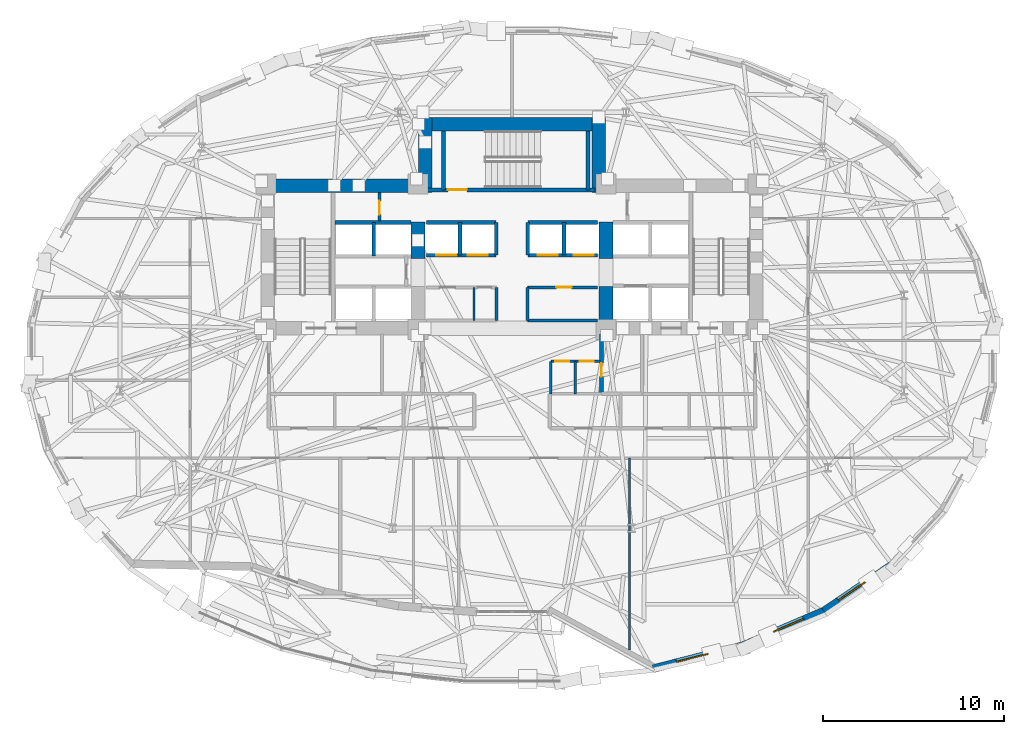
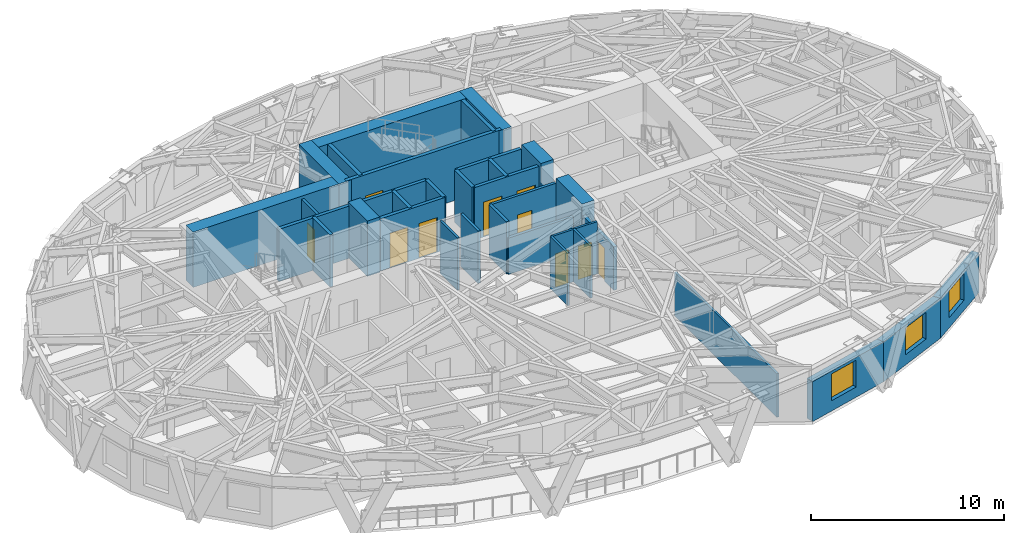
# One storey, part 9 of 15: 34 walls, 10 doors, 3 windows, 13 openings.
"""IFC4 building model written with IfcOpenShell, lengths in metres."""

from ifc_helpers import new_model, si_unit, direction, frame, frame_2d, origin, place, context, subcontext, project, spatial, rectangle, extrude, material, layer, layer_set, type_object, element, fill, save


model = new_model("IFC4")

# Units and contexts
model_context = context("Model", 3, precision=1e-05, world=origin(), true_north=direction((0.0, 1.0)))
body_context = subcontext(model_context, "Body", "Model", "MODEL_VIEW")
ifc_project = project(units=[si_unit("LENGTHUNIT", "METRE"), si_unit("AREAUNIT", "SQUARE_METRE"), si_unit("VOLUMEUNIT", "CUBIC_METRE"), si_unit("PLANEANGLEUNIT", "RADIAN"), si_unit("MASSUNIT", "GRAM", prefix="KILO")], contexts=[model_context])

# Site, building, storey
site_placement = place(None, origin())
site = spatial("IfcSite", under=ifc_project, at=site_placement, CompositionType="ELEMENT")
building_placement = place(site_placement, origin())
building = spatial("IfcBuilding", under=site, at=building_placement, Name="Keldmark Tower", CompositionType="ELEMENT")
storey_placement = place(building_placement, frame((0.0, 0.0, 114.10009765625)))
storey = spatial("IfcBuildingStorey", under=building, at=storey_placement, Name="L30", CompositionType="ELEMENT", Elevation=114.10009765625)

# Wall, openings, doors
ifc_material_1 = material(Name="Acoustic Gypsum Board Interior Partition", Category="gypsum")
ifc_layer_1 = layer(ifc_material_1, 0.1298828125)
ifc_layer_set_1 = layer_set([ifc_layer_1], Name="Acoustic Gypsum Board Interior Partition")
wall_type_1 = type_object("IfcWallType", Name="Interior Partition 130 mm", PredefinedType="PARTITIONING", material=ifc_layer_set_1)
wall_1_placement = place(storey_placement, frame((2.14990234375, -0.35009765625, 0.0), z_axis=(0.0, 0.0, 1.0), x_axis=(1.0, 0.0, 0.0)))
wall_1 = element("IfcWall", 1, at=wall_1_placement, inside=storey, type_object=wall_type_1, Name="L30 Interior Partition 130 mm CSC-E-N", PredefinedType="PARTITIONING", context=body_context, shape_type="SweptSolid", body=[
    extrude(rectangle(XDim=2.72998046875, YDim=0.1298828125, at=frame_2d((1.364990234375, 0.0))), origin(), (0.0, 0.0, 1.0), 3.309814453125),
])
opening_1_placement = place(wall_1_placement, frame((0.25, 0.0, 0.0)))
opening_1 = element("IfcOpeningElement", 2, at=opening_1_placement, cuts=wall_1, Name="Opening D-CL078", PredefinedType="OPENING", context=body_context, shape_type="SweptSolid", body=[
    extrude(rectangle(XDim=0.780029296875, YDim=2.10009765625, at=frame_2d((0.39013671875, 1.050048828125))), frame((0.0, 0.074951171875, 0.0), z_axis=(0.0, -1.0, 0.0), x_axis=(1.0, 0.0, 0.0)), (0.0, 0.0, 1.0), 0.14990234375),
])
opening_2_placement = place(wall_1_placement, frame((1.60009765625, 0.0, 0.0)))
opening_2 = element("IfcOpeningElement", 3, at=opening_2_placement, cuts=wall_1, Name="Opening D-CL078", PredefinedType="OPENING", context=body_context, shape_type="SweptSolid", body=[
    extrude(rectangle(XDim=0.780029296875, YDim=2.10009765625, at=frame_2d((0.39013671875, 1.050048828125))), frame((0.0, 0.074951171875, 0.0), z_axis=(0.0, -1.0, 0.0), x_axis=(1.0, 0.0, 0.0)), (0.0, 0.0, 1.0), 0.14990234375),
])
ifc_material_2 = material(Name="Flush Utility Closet Timber Door", Category="wood")
door_type_1 = type_object("IfcDoorType", Name="Closet Door 780x2100", OperationType="NOTDEFINED", PredefinedType="DOOR", material=ifc_material_2)
door_1_placement = place(opening_1_placement, origin())
door_1 = element("IfcDoor", 4, at=door_1_placement, inside=storey, type_object=door_type_1, Name="L30 Closet Door 780x2100 D-CSCE1-L30", OperationType="SINGLE_SWING_LEFT", OverallHeight=2.10009765625, OverallWidth=0.780029296875, PredefinedType="DOOR", context=body_context, shape_type="SweptSolid", body=[
    extrude(rectangle(XDim=0.780029296875, YDim=2.10009765625, at=frame_2d((0.39013671875, 1.050048828125))), frame((0.0, 0.02490234375, 0.0), z_axis=(0.0, -1.0, 0.0), x_axis=(1.0, 0.0, 0.0)), (0.0, 0.0, 1.0), 0.050048828125),
])
fill(opening_1, door_1)
door_2_placement = place(opening_2_placement, origin())
door_2 = element("IfcDoor", 5, at=door_2_placement, inside=storey, type_object=door_type_1, Name="L30 Closet Door 780x2100 D-CSCE2-L30", OperationType="SINGLE_SWING_RIGHT", OverallHeight=2.10009765625, OverallWidth=0.780029296875, PredefinedType="DOOR", context=body_context, shape_type="SweptSolid", body=[
    extrude(rectangle(XDim=0.780029296875, YDim=2.10009765625, at=frame_2d((0.39013671875, 1.050048828125))), frame((0.0, 0.02490234375, 0.0), z_axis=(0.0, -1.0, 0.0), x_axis=(1.0, 0.0, 0.0)), (0.0, 0.0, 1.0), 0.050048828125),
])
fill(opening_2, door_2)

# Walls
for number, where, z_axis, x_axis, name in (
    (6, (2.14990234375, -2.14990234375, 0.0), (0.0, 0.0, 1.0), (0.0, 1.0, 0.0), "L30 Interior Partition 130 mm CSC-E-W"),
    (7, (3.5, -2.14990234375, 0.0), (0.0, 0.0, 1.0), (0.0, 1.0, 0.0), "L30 Interior Partition 130 mm CSC-E-M"),
):
    element("IfcWall", number, at=place(storey_placement, frame(where, z_axis=z_axis, x_axis=x_axis)), inside=storey, type_object=wall_type_1, Name=name, PredefinedType="PARTITIONING", context=body_context, shape_type="SweptSolid", body=[
        extrude(rectangle(XDim=1.7998046875, YDim=0.1298828125, at=frame_2d((0.89990234375, 0.0))), origin(), (0.0, 0.0, 1.0), 3.309814453125),
    ])
wall_2_placement = place(storey_placement, frame((-2.10009765625, 1.919921875, 0.0), z_axis=(0.0, 0.0, 1.0), x_axis=(0.0, 1.0, 0.0)))
element("IfcWall", 8, at=wall_2_placement, inside=storey, type_object=wall_type_1, Name="L30 Interior Partition 130 mm REC-LW-M", PredefinedType="PARTITIONING", context=body_context, shape_type="SweptSolid", body=[
    extrude(rectangle(XDim=1.820068359375, YDim=0.1298828125, at=frame_2d((0.91015625, 0.0))), origin(), (0.0, 0.0, 1.0), 3.309814453125),
])
wall_3_placement = place(storey_placement, frame((6.5, -16.316650390625, 0.0), z_axis=(0.0, 0.0, 1.0), x_axis=(0.0, 1.0, 0.0)))
element("IfcWall", 9, at=wall_3_placement, inside=storey, type_object=wall_type_1, Name="L30 Interior Partition 130 mm S-DIV-4", PredefinedType="PARTITIONING", context=body_context, shape_type="SweptSolid", body=[
    extrude(rectangle(XDim=10.61669921875, YDim=0.1298828125, at=frame_2d((5.308349609375, 0.0))), origin(), (0.0, 0.0, 1.0), 2.762939453125),
])
ifc_material_3 = material(Name="Concrete C70/85", Category="concrete")
ifc_layer_2 = layer(ifc_material_3, 0.75)
ifc_layer_set_2 = layer_set([ifc_layer_2], Name="Concrete C70/85")
wall_type_2 = type_object("IfcWallType", Name="Low-Mid Core Shear Wall 750 mm", PredefinedType="SHEAR", material=ifc_layer_set_2)
wall_4_placement = place(storey_placement, frame((-13.89990234375, 9.375, 0.0), z_axis=(0.0, 0.0, 1.0), x_axis=(1.0, 0.0, 0.0)))
element("IfcWall", 10, at=wall_4_placement, inside=storey, type_object=wall_type_2, Name="L30 West Core North Shear Wall", PredefinedType="SHEAR", context=body_context, shape_type="SweptSolid", body=[
    extrude(rectangle(XDim=9.474853515625, YDim=0.75, at=frame_2d((4.7373046875, 0.0))), origin(), (0.0, 0.0, 1.0), 3.5),
])
wall_5_placement = place(storey_placement, frame((-5.199951171875, 5.35009765625, 0.0), z_axis=(0.0, 0.0, 1.0), x_axis=(0.0, 1.0, 0.0)))
element("IfcWall", 11, at=wall_5_placement, inside=storey, type_object=wall_type_2, Name="L30 West Core Inner Shear Pier North", PredefinedType="SHEAR", context=body_context, shape_type="SweptSolid", body=[
    extrude(rectangle(XDim=2.0, YDim=0.75, at=frame_2d((1.0, 0.0))), origin(), (0.0, 0.0, 1.0), 3.5),
])
wall_6_placement = place(storey_placement, frame((5.199951171875, 1.10009765625, 0.0), z_axis=(0.0, 0.0, 1.0), x_axis=(0.0, 1.0, 0.0)))
element("IfcWall", 12, at=wall_6_placement, inside=storey, type_object=wall_type_2, Name="L30 East Core Inner Shear Pier South", PredefinedType="SHEAR", context=body_context, shape_type="SweptSolid", body=[
    extrude(rectangle(XDim=2.699951171875, YDim=0.75, at=frame_2d((1.35009765625, 0.0))), origin(), (0.0, 0.0, 1.0), 3.5),
])
wall_7_placement = place(storey_placement, frame((5.199951171875, 5.35009765625, 0.0), z_axis=(0.0, 0.0, 1.0), x_axis=(0.0, 1.0, 0.0)))
element("IfcWall", 13, at=wall_7_placement, inside=storey, type_object=wall_type_2, Name="L30 East Core Inner Shear Pier North", PredefinedType="SHEAR", context=body_context, shape_type="SweptSolid", body=[
    extrude(rectangle(XDim=2.0, YDim=0.75, at=frame_2d((1.0, 0.0))), origin(), (0.0, 0.0, 1.0), 3.5),
])
wall_8_placement = place(storey_placement, frame((-5.175048828125, 12.77490234375, 0.0), z_axis=(0.0, 0.0, 1.0), x_axis=(1.0, 0.0, 0.0)))
element("IfcWall", 14, at=wall_8_placement, inside=storey, type_object=wall_type_2, Name="L30 North Core Shear Wall", PredefinedType="SHEAR", context=body_context, shape_type="SweptSolid", body=[
    extrude(rectangle(XDim=10.35009765625, YDim=0.75, at=frame_2d((5.175048828125, 0.0))), origin(), (0.0, 0.0, 1.0), 3.5),
])
for number, where, z_axis, x_axis, name in (
    (15, (-4.800048828125, 9.0, 0.0), (0.0, 0.0, 1.0), (0.0, 1.0, 0.0), "L30 North Core West Shear Wall"),
    (16, (4.800048828125, 9.0, 0.0), (0.0, 0.0, 1.0), (0.0, 1.0, 0.0), "L30 North Core East Shear Wall"),
):
    element("IfcWall", number, at=place(storey_placement, frame(where, z_axis=z_axis, x_axis=x_axis)), inside=storey, type_object=wall_type_2, Name=name, PredefinedType="SHEAR", context=body_context, shape_type="SweptSolid", body=[
        extrude(rectangle(XDim=4.14990234375, YDim=0.75, at=frame_2d((2.074951171875, 0.0))), origin(), (0.0, 0.0, 1.0), 3.5),
    ])
ifc_material_4 = material(Name="Type X Fire-Rated Gypsum Partition Assembly", Category="gypsum")
ifc_layer_3 = layer(ifc_material_4, 0.1650390625)
ifc_layer_set_3 = layer_set([ifc_layer_3], Name="Type X Fire-Rated Gypsum Partition Assembly")
wall_type_3 = type_object("IfcWallType", Name="Rated Partition 165 mm", PredefinedType="PARTITIONING", material=ifc_layer_set_3)
wall_9_placement = place(storey_placement, frame((-0.85009765625, 1.919921875, 0.0), z_axis=(0.0, 0.0, 1.0), x_axis=(0.0, 1.0, 0.0)))
element("IfcWall", 17, at=wall_9_placement, inside=storey, type_object=wall_type_3, Name="L30 Rated Partition 165 mm REC-LW-E", PredefinedType="PARTITIONING", context=body_context, shape_type="SweptSolid", body=[
    extrude(rectangle(XDim=1.820068359375, YDim=0.1650390625, at=frame_2d((0.91015625, 0.0))), origin(), (0.0, 0.0, 1.0), 3.309814453125),
])
wall_10_placement = place(storey_placement, frame((0.85009765625, 1.919921875, 0.0), z_axis=(0.0, 0.0, 1.0), x_axis=(1.0, 0.0, 0.0)))
element("IfcWall", 18, at=wall_10_placement, inside=storey, type_object=wall_type_3, Name="L30 Rated Partition 165 mm REC-LE-S", PredefinedType="PARTITIONING", context=body_context, shape_type="SweptSolid", body=[
    extrude(rectangle(XDim=3.889892578125, YDim=0.1650390625, at=frame_2d((1.94482421875, 0.0))), origin(), (0.0, 0.0, 1.0), 2.2998046875),
])

# Wall, opening, door
wall_11_placement = place(storey_placement, frame((0.85009765625, 3.739990234375, 0.0), z_axis=(0.0, 0.0, 1.0), x_axis=(1.0, 0.0, 0.0)))
wall_11 = element("IfcWall", 19, at=wall_11_placement, inside=storey, type_object=wall_type_3, Name="L30 Rated Partition 165 mm REC-LE-N", PredefinedType="PARTITIONING", context=body_context, shape_type="SweptSolid", body=[
    extrude(rectangle(XDim=3.889892578125, YDim=0.1650390625, at=frame_2d((1.94482421875, 0.0))), origin(), (0.0, 0.0, 1.0), 3.309814453125),
])
opening_3_placement = place(wall_11_placement, frame((1.60009765625, 0.0, 0.0)))
opening_3 = element("IfcOpeningElement", 20, at=opening_3_placement, cuts=wall_11, Name="Opening D-SV085", PredefinedType="OPENING", context=body_context, shape_type="SweptSolid", body=[
    extrude(rectangle(XDim=0.85009765625, YDim=2.10009765625, at=frame_2d((0.425048828125, 1.050048828125))), frame((0.0, 0.092529296875, 0.0), z_axis=(0.0, -1.0, 0.0), x_axis=(1.0, 0.0, 0.0)), (0.0, 0.0, 1.0), 0.18505859375),
])
ifc_material_5 = material(Name="Painted Hollow Metal Door Assembly", Category="metal")
door_type_2 = type_object("IfcDoorType", Name="Service Door 850x2100", OperationType="NOTDEFINED", PredefinedType="DOOR", material=ifc_material_5)
door_3_placement = place(opening_3_placement, origin())
door_3 = element("IfcDoor", 21, at=door_3_placement, inside=storey, type_object=door_type_2, Name="L30 Service Door 850x2100 D-RECLE1-L30", OperationType="SINGLE_SWING_LEFT", OverallHeight=2.10009765625, OverallWidth=0.85009765625, PredefinedType="DOOR", context=body_context, shape_type="SweptSolid", body=[
    extrude(rectangle(XDim=0.85009765625, YDim=2.10009765625, at=frame_2d((0.425048828125, 1.050048828125))), frame((0.0, 0.02490234375, 0.0), z_axis=(0.0, -1.0, 0.0), x_axis=(1.0, 0.0, 0.0)), (0.0, 0.0, 1.0), 0.050048828125),
])
fill(opening_3, door_3)

# Wall
wall_12_placement = place(storey_placement, frame((0.85009765625, 1.919921875, 0.0), z_axis=(0.0, 0.0, 1.0), x_axis=(0.0, 1.0, 0.0)))
element("IfcWall", 22, at=wall_12_placement, inside=storey, type_object=wall_type_3, Name="L30 Rated Partition 165 mm REC-LE-W", PredefinedType="PARTITIONING", context=body_context, shape_type="SweptSolid", body=[
    extrude(rectangle(XDim=1.820068359375, YDim=0.1650390625, at=frame_2d((0.91015625, 0.0))), origin(), (0.0, 0.0, 1.0), 3.309814453125),
])

# Wall, opening, door
wall_13_placement = place(storey_placement, frame((-7.330078125, 7.419921875, 0.0), z_axis=(0.0, 0.0, 1.0), x_axis=(0.0, 1.0, 0.0)))
wall_13 = element("IfcWall", 23, at=wall_13_placement, inside=storey, type_object=wall_type_3, Name="L30 Rated Partition 165 mm CS-NW-E", PredefinedType="PARTITIONING", context=body_context, shape_type="SweptSolid", body=[
    extrude(rectangle(XDim=1.580078125, YDim=0.1650390625, at=frame_2d((0.7900390625, 0.0))), origin(), (0.0, 0.0, 1.0), 3.309814453125),
])
opening_4_placement = place(wall_13_placement, frame((0.35009765625, 0.0, 0.0)))
opening_4 = element("IfcOpeningElement", 24, at=opening_4_placement, cuts=wall_13, Name="Opening D-RS075", PredefinedType="OPENING", context=body_context, shape_type="SweptSolid", body=[
    extrude(rectangle(XDim=0.75, YDim=2.10009765625, at=frame_2d((0.375, 1.050048828125))), frame((0.0, 0.092529296875, 0.0), z_axis=(0.0, -1.0, 0.0), x_axis=(1.0, 0.0, 0.0)), (0.0, 0.0, 1.0), 0.18505859375),
])
ifc_material_6 = material(Name="Galvanized Fire-Rated Access Leaf", Category="metal")
door_type_3 = type_object("IfcDoorType", Name="Riser Access Door 750x2100", OperationType="NOTDEFINED", PredefinedType="DOOR", material=ifc_material_6)
door_4_placement = place(opening_4_placement, origin())
door_4 = element("IfcDoor", 25, at=door_4_placement, inside=storey, type_object=door_type_3, Name="L30 Riser Access Door 750x2100 D-CSNW1-L30", OperationType="SINGLE_SWING_RIGHT", OverallHeight=2.10009765625, OverallWidth=0.75, PredefinedType="DOOR", context=body_context, shape_type="SweptSolid", body=[
    extrude(rectangle(XDim=0.75, YDim=2.10009765625, at=frame_2d((0.375, 1.050048828125))), frame((0.0, 0.02490234375, 0.0), z_axis=(0.0, -1.0, 0.0), x_axis=(1.0, 0.0, 0.0)), (0.0, 0.0, 1.0), 0.050048828125),
])
fill(opening_4, door_4)

ifc_material_7 = material(Name="Fire-Resistant Type X Gypsum Shaftliner Coreboard", Category="gypsum")
ifc_layer_4 = layer(ifc_material_7, 0.199951171875)
ifc_layer_set_4 = layer_set([ifc_layer_4], Name="Fire-Resistant Type X Gypsum Shaftliner Coreboard")
wall_type_4 = type_object("IfcWallType", Name="Shaft Wall 200 mm", PredefinedType="SOLIDWALL", material=ifc_layer_set_4)
wall_14_placement = place(storey_placement, frame((4.949951171875, -2.14990234375, 0.0), z_axis=(0.0, 0.0, 1.0), x_axis=(0.0, 1.0, 0.0)))
wall_14 = element("IfcWall", 26, at=wall_14_placement, inside=storey, type_object=wall_type_4, Name="L30 Shaft Wall 200 mm RIS-SE-W", PredefinedType="SOLIDWALL", context=body_context, shape_type="SweptSolid", body=[
    extrude(rectangle(XDim=3.2998046875, YDim=0.199951171875, at=frame_2d((1.64990234375, 0.0))), origin(), (0.0, 0.0, 1.0), 2.762939453125),
])
opening_5_placement = place(wall_14_placement, frame((0.949951171875, 0.0, 0.0)))
opening_5 = element("IfcOpeningElement", 27, at=opening_5_placement, cuts=wall_14, Name="Opening D-RS075", PredefinedType="OPENING", context=body_context, shape_type="SweptSolid", body=[
    extrude(rectangle(XDim=0.75, YDim=2.10009765625, at=frame_2d((0.375, 1.050048828125))), frame((0.0, 0.10986328125, 0.0), z_axis=(0.0, -1.0, 0.0), x_axis=(1.0, 0.0, 0.0)), (0.0, 0.0, 1.0), 0.219970703125),
])
door_5_placement = place(opening_5_placement, origin())
door_5 = element("IfcDoor", 28, at=door_5_placement, inside=storey, type_object=door_type_3, Name="L30 Riser Access Door 750x2100 D-RISSE-L30", OperationType="SINGLE_SWING_LEFT", OverallHeight=2.10009765625, OverallWidth=0.75, PredefinedType="DOOR", context=body_context, shape_type="SweptSolid", body=[
    extrude(rectangle(XDim=0.75, YDim=2.10009765625, at=frame_2d((0.375, 1.050048828125))), frame((0.0, 0.02490234375, 0.0), z_axis=(0.0, -1.0, 0.0), x_axis=(1.0, 0.0, 0.0)), (0.0, 0.0, 1.0), 0.050048828125),
])
fill(opening_5, door_5)

# Walls
wall_15_placement = place(storey_placement, frame((-9.780029296875, 7.330078125, 0.0), z_axis=(0.0, 0.0, 1.0), x_axis=(1.0, 0.0, 0.0)))
element("IfcWall", 29, at=wall_15_placement, inside=storey, type_object=wall_type_4, Name="L30 Shaft Wall 200 mm HW-W-TOP", PredefinedType="SOLIDWALL", context=body_context, shape_type="SweptSolid", body=[
    extrude(rectangle(XDim=4.205078125, YDim=0.199951171875, at=frame_2d((2.1025390625, 0.0))), origin(), (0.0, 0.0, 1.0), 3.309814453125),
])
wall_16_placement = place(storey_placement, frame((-7.64990234375, 5.469970703125, 0.0), z_axis=(0.0, 0.0, 1.0), x_axis=(0.0, 1.0, 0.0)))
element("IfcWall", 30, at=wall_16_placement, inside=storey, type_object=wall_type_4, Name="L30 Shaft Wall 200 mm HW-W-NM", PredefinedType="SOLIDWALL", context=body_context, shape_type="SweptSolid", body=[
    extrude(rectangle(XDim=1.860107421875, YDim=0.199951171875, at=frame_2d((0.93017578125, 0.0))), origin(), (0.0, 0.0, 1.0), 3.309814453125),
])

# Wall, openings, doors
wall_17_placement = place(storey_placement, frame((-4.739990234375, 5.52001953125, 0.0), z_axis=(0.0, 0.0, 1.0), x_axis=(1.0, 0.0, 0.0)))
wall_17 = element("IfcWall", 31, at=wall_17_placement, inside=storey, type_object=wall_type_4, Name="L30 Shaft Wall 200 mm MID-S-W", PredefinedType="SOLIDWALL", context=body_context, shape_type="SweptSolid", body=[
    extrude(rectangle(XDim=3.860107421875, YDim=0.199951171875, at=frame_2d((1.93017578125, 0.0))), origin(), (0.0, 0.0, 1.0), 3.309814453125),
])
opening_6_placement = place(wall_17_placement, frame((0.550048828125, 0.0, 0.0)))
opening_6 = element("IfcOpeningElement", 32, at=opening_6_placement, cuts=wall_17, Name="Opening LD-110", PredefinedType="OPENING", context=body_context, shape_type="SweptSolid", body=[
    extrude(rectangle(XDim=1.10009765625, YDim=2.199951171875, at=frame_2d((0.550048828125, 1.10009765625))), frame((0.0, 0.10986328125, 0.0), z_axis=(0.0, -1.0, 0.0), x_axis=(1.0, 0.0, 0.0)), (0.0, 0.0, 1.0), 0.219970703125),
])
opening_7_placement = place(wall_17_placement, frame((2.300048828125, 0.0, 0.0)))
opening_7 = element("IfcOpeningElement", 33, at=opening_7_placement, cuts=wall_17, Name="Opening LD-110", PredefinedType="OPENING", context=body_context, shape_type="SweptSolid", body=[
    extrude(rectangle(XDim=1.10009765625, YDim=2.199951171875, at=frame_2d((0.550048828125, 1.10009765625))), frame((0.0, 0.10986328125, 0.0), z_axis=(0.0, -1.0, 0.0), x_axis=(1.0, 0.0, 0.0)), (0.0, 0.0, 1.0), 0.219970703125),
])
ifc_material_8 = material(Name="Brushed Bronze Hoistway Sliding Leaf", Category="metal")
door_type_4 = type_object("IfcDoorType", Name="Lift Landing Sliding Door 1100x2200", OperationType="SLIDING_TO_LEFT", PredefinedType="DOOR", material=ifc_material_8)
door_6_placement = place(opening_6_placement, origin())
door_6 = element("IfcDoor", 34, at=door_6_placement, inside=storey, type_object=door_type_4, Name="L30 Lift Landing Sliding Door 1100x2200 LD-EL-M1-L30", OperationType="SLIDING_TO_LEFT", OverallHeight=2.199951171875, OverallWidth=1.10009765625, PredefinedType="DOOR", context=body_context, shape_type="SweptSolid", body=[
    extrude(rectangle(XDim=1.10009765625, YDim=2.199951171875, at=frame_2d((0.550048828125, 1.10009765625))), frame((0.0, 0.02490234375, 0.0), z_axis=(0.0, -1.0, 0.0), x_axis=(1.0, 0.0, 0.0)), (0.0, 0.0, 1.0), 0.050048828125),
])
fill(opening_6, door_6)
door_7_placement = place(opening_7_placement, origin())
door_7 = element("IfcDoor", 35, at=door_7_placement, inside=storey, type_object=door_type_4, Name="L30 Lift Landing Sliding Door 1100x2200 LD-EL-M2-L30", OperationType="SLIDING_TO_LEFT", OverallHeight=2.199951171875, OverallWidth=1.10009765625, PredefinedType="DOOR", context=body_context, shape_type="SweptSolid", body=[
    extrude(rectangle(XDim=1.10009765625, YDim=2.199951171875, at=frame_2d((0.550048828125, 1.10009765625))), frame((0.0, 0.02490234375, 0.0), z_axis=(0.0, -1.0, 0.0), x_axis=(1.0, 0.0, 0.0)), (0.0, 0.0, 1.0), 0.050048828125),
])
fill(opening_7, door_7)

wall_18_placement = place(storey_placement, frame((0.8798828125, 5.52001953125, 0.0), z_axis=(0.0, 0.0, 1.0), x_axis=(1.0, 0.0, 0.0)))
wall_18 = element("IfcWall", 36, at=wall_18_placement, inside=storey, type_object=wall_type_4, Name="L30 Shaft Wall 200 mm MID-S-E", PredefinedType="SOLIDWALL", context=body_context, shape_type="SweptSolid", body=[
    extrude(rectangle(XDim=3.860107421875, YDim=0.199951171875, at=frame_2d((1.93017578125, 0.0))), origin(), (0.0, 0.0, 1.0), 3.309814453125),
])
opening_8_placement = place(wall_18_placement, frame((0.550048828125, 0.0, 0.0)))
opening_8 = element("IfcOpeningElement", 37, at=opening_8_placement, cuts=wall_18, Name="Opening LD-110", PredefinedType="OPENING", context=body_context, shape_type="SweptSolid", body=[
    extrude(rectangle(XDim=1.10009765625, YDim=2.199951171875, at=frame_2d((0.550048828125, 1.10009765625))), frame((0.0, 0.10986328125, 0.0), z_axis=(0.0, -1.0, 0.0), x_axis=(1.0, 0.0, 0.0)), (0.0, 0.0, 1.0), 0.219970703125),
])
opening_9_placement = place(wall_18_placement, frame((2.550048828125, 0.0, 0.0)))
opening_9 = element("IfcOpeningElement", 38, at=opening_9_placement, cuts=wall_18, Name="Opening LD-110", PredefinedType="OPENING", context=body_context, shape_type="SweptSolid", body=[
    extrude(rectangle(XDim=1.10009765625, YDim=2.199951171875, at=frame_2d((0.550048828125, 1.10009765625))), frame((0.0, 0.10986328125, 0.0), z_axis=(0.0, -1.0, 0.0), x_axis=(1.0, 0.0, 0.0)), (0.0, 0.0, 1.0), 0.219970703125),
])
door_8_placement = place(opening_8_placement, origin())
door_8 = element("IfcDoor", 39, at=door_8_placement, inside=storey, type_object=door_type_4, Name="L30 Lift Landing Sliding Door 1100x2200 LD-EL-M3-L30", OperationType="SLIDING_TO_LEFT", OverallHeight=2.199951171875, OverallWidth=1.10009765625, PredefinedType="DOOR", context=body_context, shape_type="SweptSolid", body=[
    extrude(rectangle(XDim=1.10009765625, YDim=2.199951171875, at=frame_2d((0.550048828125, 1.10009765625))), frame((0.0, 0.02490234375, 0.0), z_axis=(0.0, -1.0, 0.0), x_axis=(1.0, 0.0, 0.0)), (0.0, 0.0, 1.0), 0.050048828125),
])
fill(opening_8, door_8)
door_9_placement = place(opening_9_placement, origin())
door_9 = element("IfcDoor", 40, at=door_9_placement, inside=storey, type_object=door_type_4, Name="L30 Lift Landing Sliding Door 1100x2200 LD-EL-M4-L30", OperationType="SLIDING_TO_LEFT", OverallHeight=2.199951171875, OverallWidth=1.10009765625, PredefinedType="DOOR", context=body_context, shape_type="SweptSolid", body=[
    extrude(rectangle(XDim=1.10009765625, YDim=2.199951171875, at=frame_2d((0.550048828125, 1.10009765625))), frame((0.0, 0.02490234375, 0.0), z_axis=(0.0, -1.0, 0.0), x_axis=(1.0, 0.0, 0.0)), (0.0, 0.0, 1.0), 0.050048828125),
])
fill(opening_9, door_9)

# Walls
for number, where, z_axis, x_axis, name in (
    (41, (-4.739990234375, 7.330078125, 0.0), (0.0, 0.0, 1.0), (1.0, 0.0, 0.0), "L30 Shaft Wall 200 mm MID-N-W"),
    (42, (0.8798828125, 7.330078125, 0.0), (0.0, 0.0, 1.0), (1.0, 0.0, 0.0), "L30 Shaft Wall 200 mm MID-N-E"),
):
    element("IfcWall", number, at=place(storey_placement, frame(where, z_axis=z_axis, x_axis=x_axis)), inside=storey, type_object=wall_type_4, Name=name, PredefinedType="SOLIDWALL", context=body_context, shape_type="SweptSolid", body=[
        extrude(rectangle(XDim=3.860107421875, YDim=0.199951171875, at=frame_2d((1.93017578125, 0.0))), origin(), (0.0, 0.0, 1.0), 3.309814453125),
    ])
for number, where, z_axis, x_axis, name in (
    (43, (-2.8798828125, 5.52001953125, 0.0), (0.0, 0.0, 1.0), (0.0, 1.0, 0.0), "L30 Shaft Wall 200 mm MID-M-W"),
    (44, (2.8798828125, 5.52001953125, 0.0), (0.0, 0.0, 1.0), (0.0, 1.0, 0.0), "L30 Shaft Wall 200 mm MID-M-E"),
    (45, (-0.8798828125, 5.52001953125, 0.0), (0.0, 0.0, 1.0), (0.0, 1.0, 0.0), "L30 Shaft Wall 200 mm MID-C-W"),
    (46, (0.8798828125, 5.52001953125, 0.0), (0.0, 0.0, 1.0), (0.0, 1.0, 0.0), "L30 Shaft Wall 200 mm MID-C-E"),
):
    element("IfcWall", number, at=place(storey_placement, frame(where, z_axis=z_axis, x_axis=x_axis)), inside=storey, type_object=wall_type_4, Name=name, PredefinedType="SOLIDWALL", context=body_context, shape_type="SweptSolid", body=[
        extrude(rectangle(XDim=1.81005859375, YDim=0.199951171875, at=frame_2d((0.905029296875, 0.0))), origin(), (0.0, 0.0, 1.0), 3.309814453125),
    ])

# Wall, opening, door
ifc_material_9 = material(Name="Concrete C50/60", Category="concrete")
ifc_layer_5 = layer(ifc_material_9, 0.219970703125)
ifc_layer_set_5 = layer_set([ifc_layer_5], Name="Concrete C50/60")
wall_type_5 = type_object("IfcWallType", Name="Stair Core Shear Wall 220 mm", PredefinedType="SHEAR", material=ifc_layer_set_5)
wall_19_placement = place(storey_placement, frame((-4.699951171875, 9.139892578125, 0.0), z_axis=(0.0, 0.0, 1.0), x_axis=(1.0, 0.0, 0.0)))
wall_19 = element("IfcWall", 47, at=wall_19_placement, inside=storey, type_object=wall_type_5, Name="L30 Central Stair Core South Shear Wall", PredefinedType="SHEAR", context=body_context, shape_type="SweptSolid", body=[
    extrude(rectangle(XDim=9.300048828125, YDim=0.219970703125, at=frame_2d((4.64990234375, 0.0))), origin(), (0.0, 0.0, 1.0), 3.5),
])
opening_10_placement = place(wall_19_placement, frame((1.14990234375, 0.0, 0.0)))
opening_10 = element("IfcOpeningElement", 48, at=opening_10_placement, cuts=wall_19, Name="Opening D-ST105", PredefinedType="OPENING", context=body_context, shape_type="SweptSolid", body=[
    extrude(rectangle(XDim=1.050048828125, YDim=2.14990234375, at=frame_2d((0.52490234375, 1.074951171875))), frame((0.0, 0.119873046875, 0.0), z_axis=(0.0, -1.0, 0.0), x_axis=(1.0, 0.0, 0.0)), (0.0, 0.0, 1.0), 0.239990234375),
])
ifc_material_10 = material(Name="Hollow Metal Fire-Rated Door Assembly", Category="metal")
door_type_5 = type_object("IfcDoorType", Name="Stair Fire Door 1050x2150", OperationType="NOTDEFINED", PredefinedType="DOOR", material=ifc_material_10)
door_10_placement = place(opening_10_placement, origin())
door_10 = element("IfcDoor", 49, at=door_10_placement, inside=storey, type_object=door_type_5, Name="L30 Stair Fire Door 1050x2150 D-ST3-L30", OperationType="SINGLE_SWING_RIGHT", OverallHeight=2.14990234375, OverallWidth=1.050048828125, PredefinedType="DOOR", context=body_context, shape_type="SweptSolid", body=[
    extrude(rectangle(XDim=1.050048828125, YDim=2.14990234375, at=frame_2d((0.52490234375, 1.074951171875))), frame((0.0, 0.02490234375, 0.0), z_axis=(0.0, -1.0, 0.0), x_axis=(1.0, 0.0, 0.0)), (0.0, 0.0, 1.0), 0.050048828125),
])
fill(opening_10, door_10)

# Walls
for number, where, z_axis, x_axis, name in (
    (50, (-3.784912109375, 9.139892578125, 0.0), (0.0, 0.0, 1.0), (0.0, 1.0, 0.0), "L30 Central Stair Core West Shear Wall"),
    (51, (4.215087890625, 9.139892578125, 0.0), (0.0, 0.0, 1.0), (0.0, 1.0, 0.0), "L30 Central Stair Core East Shear Wall"),
):
    element("IfcWall", number, at=place(storey_placement, frame(where, z_axis=z_axis, x_axis=x_axis)), inside=storey, type_object=wall_type_5, Name=name, PredefinedType="SHEAR", context=body_context, shape_type="SweptSolid", body=[
        extrude(rectangle(XDim=3.260009765625, YDim=0.219970703125, at=frame_2d((1.6298828125, 0.0))), origin(), (0.0, 0.0, 1.0), 3.5),
    ])

# Wall, opening, window
ifc_material_11 = material(Name="Ironspot Manganese Brick and Kasota Buff Limestone Spandrel Assembly", Category="masonry")
ifc_layer_6 = layer(ifc_material_11, 0.43994140625)
ifc_layer_set_6 = layer_set([ifc_layer_6], Name="Ironspot Manganese Brick and Kasota Buff Limestone Spandrel Assembly")
wall_type_6 = type_object("IfcWallType", Name="Tower Brick Pier and Spandrel Wall 440 mm", PredefinedType="STANDARD", material=ifc_layer_set_6)
wall_20_placement = place(storey_placement, frame((12.793212890625, -16.082275390625, 0.0), z_axis=(0.0, 0.0, 1.0), x_axis=(-0.968802439575, -0.247834285507, 0.0)))
wall_20 = element("IfcWall", 52, at=wall_20_placement, inside=storey, type_object=wall_type_6, Name="L30 Exterior Brick and Spandrel Wall 26", PredefinedType="STANDARD", context=body_context, shape_type="SweptSolid", body=[
    extrude(rectangle(XDim=5.146240234375, YDim=0.43994140625, at=frame_2d((2.5732421875, 0.0))), origin(), (0.0, 0.0, 1.0), 2.52783203125),
])
opening_11_placement = place(wall_20_placement, frame((1.997802734375, 0.0, 0.64990234375)))
opening_11 = element("IfcOpeningElement", 53, at=opening_11_placement, cuts=wall_20, Name="Opening W-02", PredefinedType="OPENING", context=body_context, shape_type="SweptSolid", body=[
    extrude(rectangle(XDim=1.800048828125, YDim=1.699951171875, at=frame_2d((0.89990234375, 0.85009765625))), frame((0.0, 0.22998046875, 0.0), z_axis=(0.0, -1.0, 0.0), x_axis=(1.0, 0.0, 0.0)), (0.0, 0.0, 1.0), 0.4599609375),
])
ifc_material_12 = material(Name="Thermally Broken Anodized Aluminum and Triple Low-E Argon Glazing", Category="aluminium")
window_type = type_object("IfcWindowType", Name="Office Deep-Set Triple Window 1800x1700", PartitioningType="TRIPLE_PANEL_VERTICAL", PredefinedType="WINDOW", material=ifc_material_12)
window_1_placement = place(opening_11_placement, origin())
window_1 = element("IfcWindow", 54, at=window_1_placement, inside=storey, type_object=window_type, Name="L30 Deep-Set Window 26", OverallHeight=1.699951171875, OverallWidth=1.800048828125, PartitioningType="SINGLE_PANEL", PredefinedType="WINDOW", context=body_context, shape_type="SweptSolid", body=[
    extrude(rectangle(XDim=1.800048828125, YDim=1.699951171875, at=frame_2d((0.89990234375, 0.85009765625))), frame((0.0, -0.010009765625, 0.0), z_axis=(0.0, -1.0, 0.0), x_axis=(1.0, 0.0, 0.0)), (0.0, 0.0, 1.0), 0.06005859375),
])
fill(opening_11, window_1)

wall_21_placement = place(storey_placement, frame((17.2880859375, -14.15087890625, 0.0), z_axis=(0.0, 0.0, 1.0), x_axis=(-0.919001414266, -0.39425423343, 0.0)))
wall_21 = element("IfcWall", 55, at=wall_21_placement, inside=storey, type_object=wall_type_6, Name="L30 Exterior Brick and Spandrel Wall 27", PredefinedType="STANDARD", context=body_context, shape_type="SweptSolid", body=[
    extrude(rectangle(XDim=4.926025390625, YDim=0.43994140625, at=frame_2d((2.462890625, 0.0))), origin(), (0.0, 0.0, 1.0), 2.52783203125),
])
opening_12_placement = place(wall_21_placement, frame((1.240966796875, 0.0, 0.64990234375)))
opening_12 = element("IfcOpeningElement", 56, at=opening_12_placement, cuts=wall_21, Name="Opening W-02", PredefinedType="OPENING", context=body_context, shape_type="SweptSolid", body=[
    extrude(rectangle(XDim=1.800048828125, YDim=1.699951171875, at=frame_2d((0.89990234375, 0.85009765625))), frame((0.0, 0.22998046875, 0.0), z_axis=(0.0, -1.0, 0.0), x_axis=(1.0, 0.0, 0.0)), (0.0, 0.0, 1.0), 0.4599609375),
])
window_2_placement = place(opening_12_placement, origin())
window_2 = element("IfcWindow", 57, at=window_2_placement, inside=storey, type_object=window_type, Name="L30 Deep-Set Window 27", OverallHeight=1.699951171875, OverallWidth=1.800048828125, PartitioningType="SINGLE_PANEL", PredefinedType="WINDOW", context=body_context, shape_type="SweptSolid", body=[
    extrude(rectangle(XDim=1.800048828125, YDim=1.699951171875, at=frame_2d((0.89990234375, 0.85009765625))), frame((0.0, -0.010009765625, 0.0), z_axis=(0.0, -1.0, 0.0), x_axis=(1.0, 0.0, 0.0)), (0.0, 0.0, 1.0), 0.06005859375),
])
fill(opening_12, window_2)

wall_22_placement = place(storey_placement, frame((21.0478515625, -11.59716796875, 0.0), z_axis=(0.0, 0.0, 1.0), x_axis=(-0.827717717125, -0.561144705719, 0.0)))
wall_22 = element("IfcWall", 58, at=wall_22_placement, inside=storey, type_object=wall_type_6, Name="L30 Exterior Brick and Spandrel Wall 28", PredefinedType="STANDARD", context=body_context, shape_type="SweptSolid", body=[
    extrude(rectangle(XDim=4.586669921875, YDim=0.43994140625, at=frame_2d((2.29345703125, 0.0))), origin(), (0.0, 0.0, 1.0), 2.52783203125),
])
opening_13_placement = place(wall_22_placement, frame((1.791015625, 0.0, 0.64990234375)))
opening_13 = element("IfcOpeningElement", 59, at=opening_13_placement, cuts=wall_22, Name="Opening W-02", PredefinedType="OPENING", context=body_context, shape_type="SweptSolid", body=[
    extrude(rectangle(XDim=1.800048828125, YDim=1.699951171875, at=frame_2d((0.89990234375, 0.85009765625))), frame((0.0, 0.22998046875, 0.0), z_axis=(0.0, -1.0, 0.0), x_axis=(1.0, 0.0, 0.0)), (0.0, 0.0, 1.0), 0.4599609375),
])
window_3_placement = place(opening_13_placement, origin())
window_3 = element("IfcWindow", 60, at=window_3_placement, inside=storey, type_object=window_type, Name="L30 Deep-Set Window 28", OverallHeight=1.699951171875, OverallWidth=1.800048828125, PartitioningType="SINGLE_PANEL", PredefinedType="WINDOW", context=body_context, shape_type="SweptSolid", body=[
    extrude(rectangle(XDim=1.800048828125, YDim=1.699951171875, at=frame_2d((0.89990234375, 0.85009765625))), frame((0.0, -0.010009765625, 0.0), z_axis=(0.0, -1.0, 0.0), x_axis=(1.0, 0.0, 0.0)), (0.0, 0.0, 1.0), 0.06005859375),
])
fill(opening_13, window_3)

save(model, "model.ifc")
